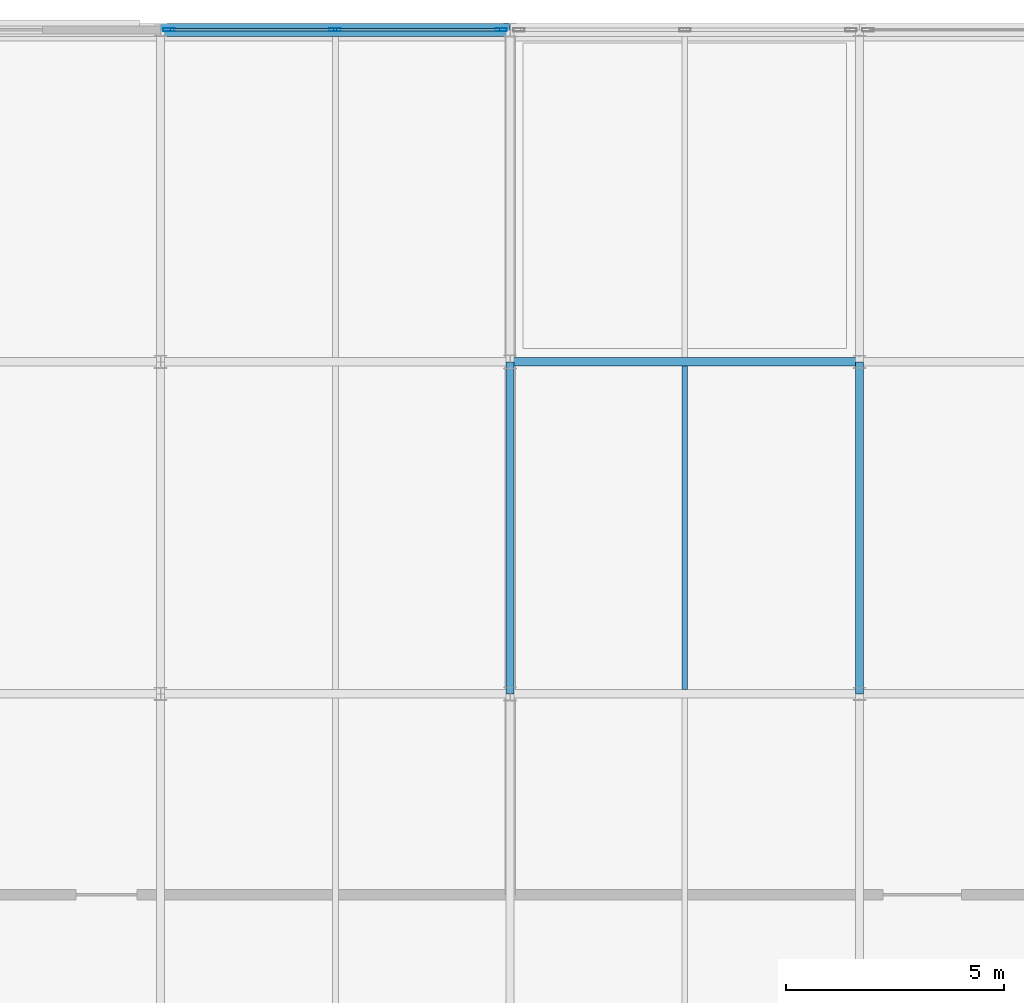
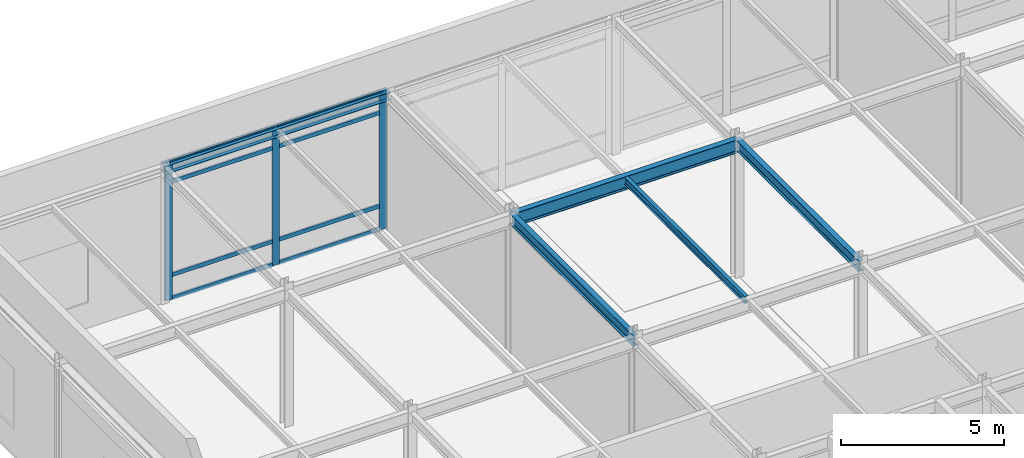
# One storey, part 4 of 12: 11 members, 5 beams, 1 element without a shape of its own.
"""IFC4 building model written with IfcOpenShell, lengths in metres."""

from ifc_helpers import new_model, si_unit, direction, frame, origin, origin_2d, place, context, subcontext, project, spatial, hollow_rectangle, i_section, extrude, material, layer, layer_set, material_profile, profile_set, type_object, element, aggregate, save


model = new_model("IFC4")

# Units and contexts
model_context = context("Model", 3, precision=1e-05, world=origin(), true_north=direction((0.0, 1.0)))
body_context = subcontext(model_context, "Body", "Model", "MODEL_VIEW")
ifc_project = project(units=[si_unit("LENGTHUNIT", "METRE"), si_unit("AREAUNIT", "SQUARE_METRE"), si_unit("VOLUMEUNIT", "CUBIC_METRE"), si_unit("PLANEANGLEUNIT", "RADIAN"), si_unit("MASSUNIT", "GRAM", prefix="KILO")], contexts=[model_context])

# Site, building, storey
site_placement = place(None, origin())
site = spatial("IfcSite", under=ifc_project, at=site_placement, CompositionType="ELEMENT")
building_placement = place(site_placement, origin())
building = spatial("IfcBuilding", under=site, at=building_placement, Name="Shalkamar Park Central Library", CompositionType="ELEMENT")
storey_placement = place(building_placement, frame((0.0, 0.0, 72.300048828125)))
storey = spatial("IfcBuildingStorey", under=building, at=storey_placement, Name="L18", CompositionType="ELEMENT", Elevation=72.300048828125)

# Beam
ifc_material_1 = material(Name="Steel S355", Category="steel")
ifc_material_profile_1 = material_profile(ifc_material_1, i_section(OverallWidth=0.135009765625, OverallDepth=0.27001953125, WebThickness=0.006591796875, FlangeThickness=0.01025390625, FilletRadius=0.014892578125, at=origin_2d()), Name="IPE 270")
ifc_profile_set_1 = profile_set([ifc_material_profile_1], Name="Steel S355")
beam_type_1 = type_object("IfcBeamType", Name="Composite Floor Joist IPE270", PredefinedType="JOIST", material=ifc_profile_set_1)
beam_1_placement = place(storey_placement, frame((185.0, 262.89794921875, 5.014892578125), z_axis=(0.0, 1.0, 0.0), x_axis=(-1.0, 0.0, 0.0)))
element("IfcBeam", 1, at=beam_1_placement, inside=storey, type_object=beam_type_1, Name="Composite Joist 09/D-1 (L18)", PredefinedType="JOIST", context=body_context, shape_type="SweptSolid", body=[
    extrude(i_section(OverallWidth=0.135009765625, OverallDepth=0.27001953125, WebThickness=0.006591796875, FlangeThickness=0.01025390625, FilletRadius=0.014892578125, at=origin_2d()), origin(), (0.0, 0.0, 1.0), 7.404052734375),
])

# Curtain wall, members
ifc_material_2 = material(Name="Thermally broken aluminium and triple low-e curtain wall", Category="aluminium")
ifc_layer = layer(ifc_material_2, 0.260009765625)
ifc_layer_set = layer_set([ifc_layer], Name="UnitisedCurtainWall_111")
curtain_wall_type = type_object("IfcCurtainWallType", Name="Unitised Curtain Wall 111", PredefinedType="USERDEFINED", material=ifc_layer_set)
curtain_wall_placement = place(storey_placement, origin())
curtain_wall = element("IfcCurtainWall", 2, at=curtain_wall_placement, inside=storey, type_object=curtain_wall_type, Name="Unitised Curtain Wall CW-L18-168", ObjectType="UNITISED CURTAIN WALL", PredefinedType="USERDEFINED")
ifc_material_3 = material(Name="Aluminium 6060-T66", Category="aluminium")
ifc_material_profile_2 = material_profile(ifc_material_3, hollow_rectangle(XDim=0.074951171875, YDim=0.260009765625, WallThickness=0.00439453125, InnerFilletRadius=0.00439453125, OuterFilletRadius=0.0068359375, at=origin_2d()), Name="ALU 75x260x4.5")
ifc_profile_set_2 = profile_set([ifc_material_profile_2], Name="Aluminium 6060-T66")
member_type_1 = type_object("IfcMemberType", Name="Curtain Wall Mullion ALU75x260", PredefinedType="MULLION", material=ifc_profile_set_2)
member_1_placement = place(storey_placement, frame((173.19140625, 278.0, 0.0), z_axis=(0.0, 0.0, 1.0), x_axis=(0.0, 1.0, 0.0)))
member_1 = element("IfcMember", 3, at=member_1_placement, type_object=member_type_1, Name="CW-111 mullion 1", PredefinedType="MULLION", context=body_context, shape_type="SweptSolid", body=[
    extrude(hollow_rectangle(XDim=0.074951171875, YDim=0.260009765625, WallThickness=0.00439453125, InnerFilletRadius=0.00439453125, OuterFilletRadius=0.0068359375, at=origin_2d()), origin(), (0.0, 0.0, 1.0), 5.14990234375),
])
member_2_placement = place(storey_placement, frame((176.9951171875, 278.0, 0.0), z_axis=(0.0, 0.0, 1.0), x_axis=(0.0, 1.0, 0.0)))
member_2 = element("IfcMember", 4, at=member_2_placement, type_object=member_type_1, Name="CW-111 mullion 2", PredefinedType="MULLION", context=body_context, shape_type="SweptSolid", body=[
    extrude(hollow_rectangle(XDim=0.074951171875, YDim=0.260009765625, WallThickness=0.00439453125, InnerFilletRadius=0.00439453125, OuterFilletRadius=0.0068359375, at=origin_2d()), origin(), (0.0, 0.0, 1.0), 5.14990234375),
])
member_3_placement = place(storey_placement, frame((180.798583984375, 278.0, 0.0), z_axis=(0.0, 0.0, 1.0), x_axis=(0.0, 1.0, 0.0)))
member_3 = element("IfcMember", 5, at=member_3_placement, type_object=member_type_1, Name="CW-111 mullion 3", PredefinedType="MULLION", context=body_context, shape_type="SweptSolid", body=[
    extrude(hollow_rectangle(XDim=0.074951171875, YDim=0.260009765625, WallThickness=0.00439453125, InnerFilletRadius=0.00439453125, OuterFilletRadius=0.0068359375, at=origin_2d()), origin(), (0.0, 0.0, 1.0), 5.14990234375),
])
ifc_material_profile_3 = material_profile(ifc_material_3, hollow_rectangle(XDim=0.06005859375, YDim=0.1650390625, WallThickness=0.00390625, InnerFilletRadius=0.00390625, OuterFilletRadius=0.006103515625, at=origin_2d()), Name="ALU 60x165x4")
ifc_profile_set_3 = profile_set([ifc_material_profile_3], Name="Aluminium 6060-T66")
member_type_2 = type_object("IfcMemberType", Name="Curtain Wall Transom ALU60x165", PredefinedType="USERDEFINED", material=ifc_profile_set_3)
member_4_placement = place(storey_placement, frame((173.22900390625, 278.0, 0.030029296875), z_axis=(1.0, 0.0, 0.0), x_axis=(0.0, 1.0, 0.0)))
member_4 = element("IfcMember", 6, at=member_4_placement, type_object=member_type_2, Name="CW-111 transom 1.1", ObjectType="TRANSOM", PredefinedType="USERDEFINED", context=body_context, shape_type="SweptSolid", body=[
    extrude(hollow_rectangle(XDim=0.06005859375, YDim=0.1650390625, WallThickness=0.00390625, InnerFilletRadius=0.00390625, OuterFilletRadius=0.006103515625, at=origin_2d()), origin(), (0.0, 0.0, 1.0), 3.728515625),
])
member_5_placement = place(storey_placement, frame((173.22900390625, 278.0, 0.89990234375), z_axis=(1.0, 0.0, 0.0), x_axis=(0.0, 1.0, 0.0)))
member_5 = element("IfcMember", 7, at=member_5_placement, type_object=member_type_2, Name="CW-111 transom 1.2", ObjectType="TRANSOM", PredefinedType="USERDEFINED", context=body_context, shape_type="SweptSolid", body=[
    extrude(hollow_rectangle(XDim=0.06005859375, YDim=0.1650390625, WallThickness=0.00390625, InnerFilletRadius=0.00390625, OuterFilletRadius=0.006103515625, at=origin_2d()), origin(), (0.0, 0.0, 1.0), 3.728515625),
])
member_6_placement = place(storey_placement, frame((173.22900390625, 278.0, 4.39990234375), z_axis=(1.0, 0.0, 0.0), x_axis=(0.0, 1.0, 0.0)))
member_6 = element("IfcMember", 8, at=member_6_placement, type_object=member_type_2, Name="CW-111 transom 1.3", ObjectType="TRANSOM", PredefinedType="USERDEFINED", context=body_context, shape_type="SweptSolid", body=[
    extrude(hollow_rectangle(XDim=0.06005859375, YDim=0.1650390625, WallThickness=0.00390625, InnerFilletRadius=0.00390625, OuterFilletRadius=0.006103515625, at=origin_2d()), origin(), (0.0, 0.0, 1.0), 3.728515625),
])
member_7_placement = place(storey_placement, frame((173.22900390625, 278.0, 5.119873046875), z_axis=(1.0, 0.0, 0.0), x_axis=(0.0, 1.0, 0.0)))
member_7 = element("IfcMember", 9, at=member_7_placement, type_object=member_type_2, Name="CW-111 transom 1.4", ObjectType="TRANSOM", PredefinedType="USERDEFINED", context=body_context, shape_type="SweptSolid", body=[
    extrude(hollow_rectangle(XDim=0.06005859375, YDim=0.1650390625, WallThickness=0.00390625, InnerFilletRadius=0.00390625, OuterFilletRadius=0.006103515625, at=origin_2d()), origin(), (0.0, 0.0, 1.0), 3.728515625),
])
member_8_placement = place(storey_placement, frame((177.032470703125, 278.0, 0.030029296875), z_axis=(1.0, 0.0, 0.0), x_axis=(0.0, 1.0, 0.0)))
member_8 = element("IfcMember", 10, at=member_8_placement, type_object=member_type_2, Name="CW-111 transom 2.1", ObjectType="TRANSOM", PredefinedType="USERDEFINED", context=body_context, shape_type="SweptSolid", body=[
    extrude(hollow_rectangle(XDim=0.06005859375, YDim=0.1650390625, WallThickness=0.00390625, InnerFilletRadius=0.00390625, OuterFilletRadius=0.006103515625, at=origin_2d()), origin(), (0.0, 0.0, 1.0), 3.728515625),
])
member_9_placement = place(storey_placement, frame((177.032470703125, 278.0, 0.89990234375), z_axis=(1.0, 0.0, 0.0), x_axis=(0.0, 1.0, 0.0)))
member_9 = element("IfcMember", 11, at=member_9_placement, type_object=member_type_2, Name="CW-111 transom 2.2", ObjectType="TRANSOM", PredefinedType="USERDEFINED", context=body_context, shape_type="SweptSolid", body=[
    extrude(hollow_rectangle(XDim=0.06005859375, YDim=0.1650390625, WallThickness=0.00390625, InnerFilletRadius=0.00390625, OuterFilletRadius=0.006103515625, at=origin_2d()), origin(), (0.0, 0.0, 1.0), 3.728515625),
])
member_10_placement = place(storey_placement, frame((177.032470703125, 278.0, 4.39990234375), z_axis=(1.0, 0.0, 0.0), x_axis=(0.0, 1.0, 0.0)))
member_10 = element("IfcMember", 12, at=member_10_placement, type_object=member_type_2, Name="CW-111 transom 2.3", ObjectType="TRANSOM", PredefinedType="USERDEFINED", context=body_context, shape_type="SweptSolid", body=[
    extrude(hollow_rectangle(XDim=0.06005859375, YDim=0.1650390625, WallThickness=0.00390625, InnerFilletRadius=0.00390625, OuterFilletRadius=0.006103515625, at=origin_2d()), origin(), (0.0, 0.0, 1.0), 3.728515625),
])
member_11_placement = place(storey_placement, frame((177.032470703125, 278.0, 5.119873046875), z_axis=(1.0, 0.0, 0.0), x_axis=(0.0, 1.0, 0.0)))
member_11 = element("IfcMember", 13, at=member_11_placement, type_object=member_type_2, Name="CW-111 transom 2.4", ObjectType="TRANSOM", PredefinedType="USERDEFINED", context=body_context, shape_type="SweptSolid", body=[
    extrude(hollow_rectangle(XDim=0.06005859375, YDim=0.1650390625, WallThickness=0.00390625, InnerFilletRadius=0.00390625, OuterFilletRadius=0.006103515625, at=origin_2d()), origin(), (0.0, 0.0, 1.0), 3.728515625),
])
aggregate(curtain_wall, [member_1, member_2, member_3, member_4, member_5, member_6, member_7, member_8, member_9, member_10, member_11])

# Beams
ifc_material_profile_4 = material_profile(ifc_material_1, i_section(OverallWidth=0.300048828125, OverallDepth=0.31005859375, WebThickness=0.009033203125, FlangeThickness=0.015380859375, FilletRadius=0.027099609375, at=origin_2d()), Name="HEA 320")
ifc_profile_set_4 = profile_set([ifc_material_profile_4], Name="Steel S355")
beam_type_2 = type_object("IfcBeamType", Name="Perimeter Spandrel Beam HEA320", PredefinedType="SPANDREL", material=ifc_profile_set_4)
beam_2_placement = place(storey_placement, frame((173.0, 278.0, 4.994873046875), z_axis=(1.0, 0.0, 0.0), x_axis=(0.0, 1.0, 0.0)))
element("IfcBeam", 14, at=beam_2_placement, inside=storey, type_object=beam_type_2, Name="Beam F:08-09 (L18)", PredefinedType="SPANDREL", context=body_context, shape_type="SweptSolid", body=[
    extrude(i_section(OverallWidth=0.300048828125, OverallDepth=0.31005859375, WebThickness=0.009033203125, FlangeThickness=0.015380859375, FilletRadius=0.027099609375, at=origin_2d()), origin(), (0.0, 0.0, 1.0), 8.0),
])
ifc_material_profile_5 = material_profile(ifc_material_1, i_section(OverallWidth=0.179931640625, OverallDepth=0.39990234375, WebThickness=0.008544921875, FlangeThickness=0.013427734375, FilletRadius=0.02099609375, at=origin_2d()), Name="IPE 400")
ifc_profile_set_5 = profile_set([ifc_material_profile_5], Name="Steel S355")
beam_type_3 = type_object("IfcBeamType", Name="Primary Girder IPE400", PredefinedType="BEAM", material=ifc_profile_set_5)
for number, where, z_axis, x_axis, name in (
    (15, (181.0, 262.800048828125, 4.949951171875), (0.0, 1.0, 0.0), (-1.0, 0.0, 0.0), "Beam 09:D-E (L18)"),
    (16, (189.0, 262.800048828125, 4.949951171875), (0.0, 1.0, 0.0), (-1.0, 0.0, 0.0), "Beam 10:D-E (L18)"),
):
    element("IfcBeam", number, at=place(storey_placement, frame(where, z_axis=z_axis, x_axis=x_axis)), inside=storey, type_object=beam_type_3, Name=name, PredefinedType="BEAM", context=body_context, shape_type="SweptSolid", body=[
        extrude(i_section(OverallWidth=0.179931640625, OverallDepth=0.39990234375, WebThickness=0.008544921875, FlangeThickness=0.013427734375, FilletRadius=0.02099609375, at=origin_2d()), origin(), (0.0, 0.0, 1.0), 7.599853515625),
    ])
ifc_material_profile_6 = material_profile(ifc_material_1, i_section(OverallWidth=0.199951171875, OverallDepth=0.5, WebThickness=0.01025390625, FlangeThickness=0.01611328125, FilletRadius=0.02099609375, at=origin_2d()), Name="IPE 500")
ifc_profile_set_6 = profile_set([ifc_material_profile_6], Name="Steel S355")
beam_type_4 = type_object("IfcBeamType", Name="Primary Girder IPE500", PredefinedType="BEAM", material=ifc_profile_set_6)
beam_3_placement = place(storey_placement, frame((181.0, 270.39990234375, 4.89990234375), z_axis=(1.0, 0.0, 0.0), x_axis=(0.0, 1.0, 0.0)))
element("IfcBeam", 17, at=beam_3_placement, inside=storey, type_object=beam_type_4, Name="Beam E:09-10 (L18)", PredefinedType="BEAM", context=body_context, shape_type="SweptSolid", body=[
    extrude(i_section(OverallWidth=0.199951171875, OverallDepth=0.5, WebThickness=0.01025390625, FlangeThickness=0.01611328125, FilletRadius=0.02099609375, at=origin_2d()), origin(), (0.0, 0.0, 1.0), 8.0),
])

save(model, "model.ifc")
